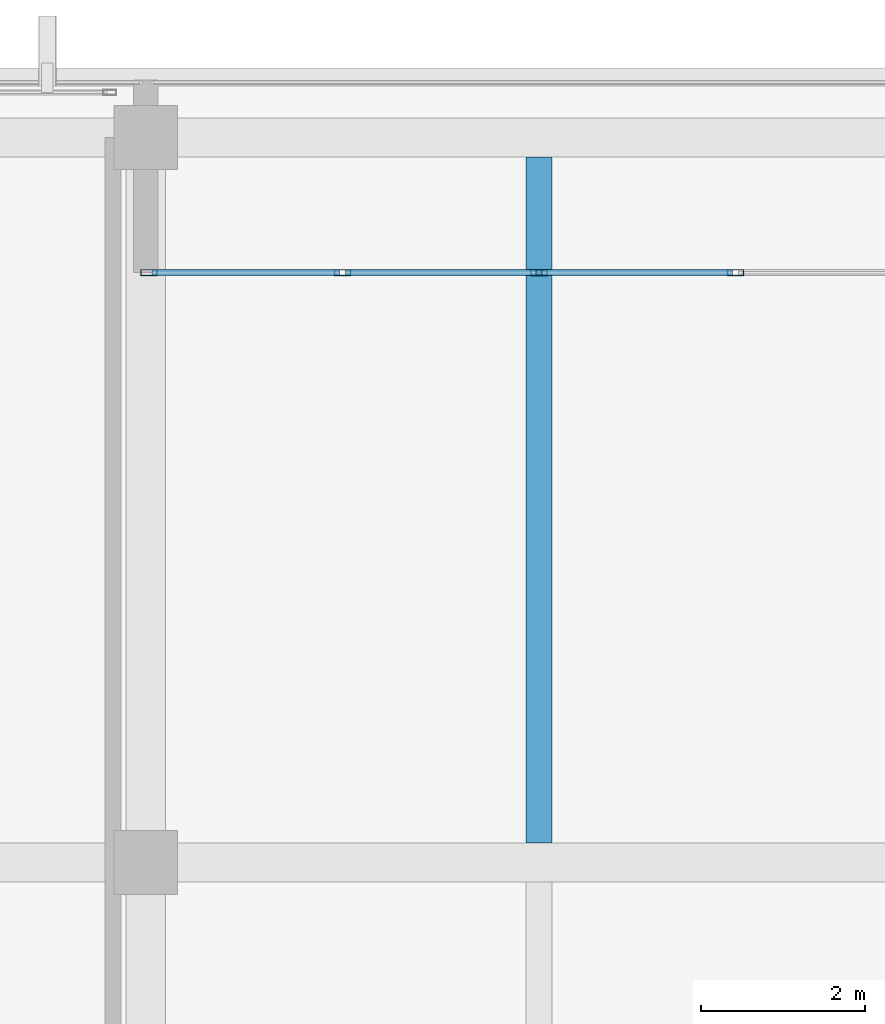
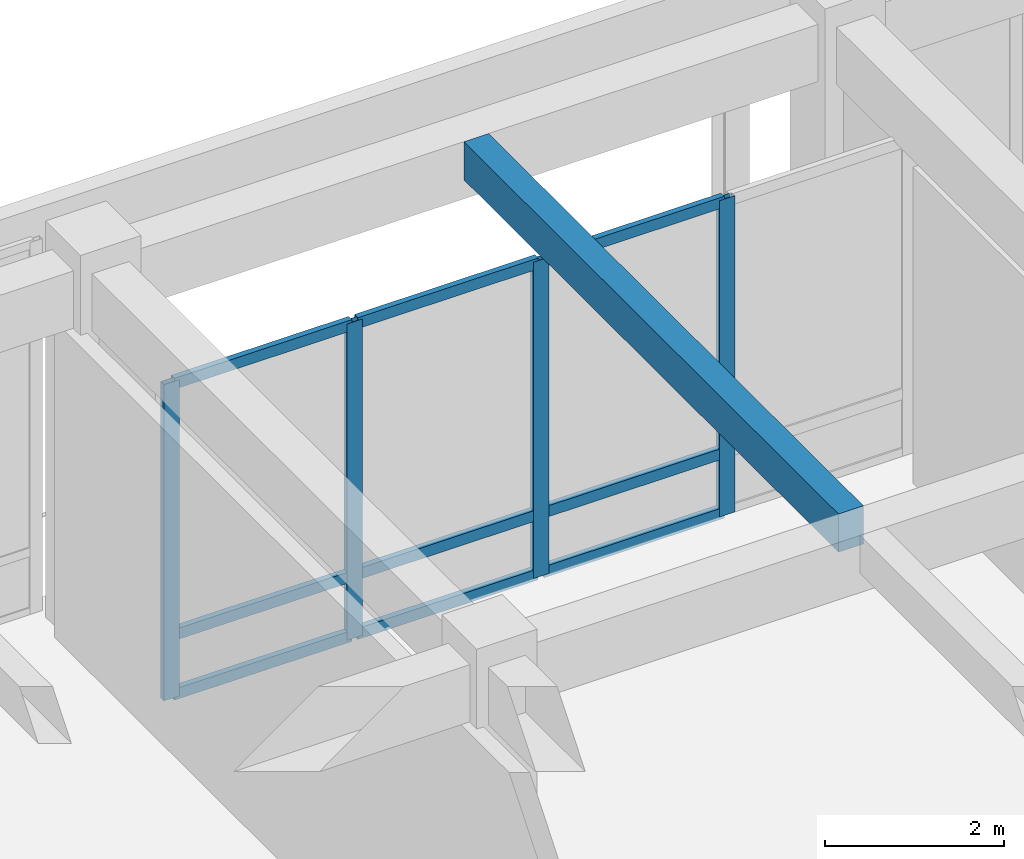
# One storey, part 46 of 134: 13 members, 1 beam, 1 element without a shape of its own.
"""IFC4 building model written with IfcOpenShell, lengths in metres."""

from ifc_helpers import new_model, si_unit, direction, frame, origin, origin_2d, place, context, subcontext, project, spatial, rectangle, hollow_rectangle, extrude, material, layer, layer_set, material_profile, profile_set, type_object, element, aggregate, save


model = new_model("IFC4")

# Units and contexts
model_context = context("Model", 3, precision=1e-05, world=origin(), true_north=direction((0.0, 1.0)))
body_context = subcontext(model_context, "Body", "Model", "MODEL_VIEW")
ifc_project = project(units=[si_unit("LENGTHUNIT", "METRE"), si_unit("AREAUNIT", "SQUARE_METRE"), si_unit("VOLUMEUNIT", "CUBIC_METRE"), si_unit("PLANEANGLEUNIT", "RADIAN"), si_unit("MASSUNIT", "GRAM", prefix="KILO")], contexts=[model_context])

# Site, building, storey
site_placement = place(None, origin())
site = spatial("IfcSite", under=ifc_project, at=site_placement, CompositionType="ELEMENT")
building_placement = place(site_placement, origin())
building = spatial("IfcBuilding", under=site, at=building_placement, Name="Nakhvara Creek Congress Hotel", CompositionType="ELEMENT")
storey_placement = place(building_placement, frame((0.0, 0.0, 6.0)))
storey = spatial("IfcBuildingStorey", under=building, at=storey_placement, Name="L01", CompositionType="ELEMENT", Elevation=6.0)

# Beam
ifc_material_1 = material(Name="Concrete C40/50", Category="concrete")
ifc_material_profile_1 = material_profile(ifc_material_1, rectangle(XDim=0.320068359375, YDim=0.52001953125, at=origin_2d()), Name="RC-BM 320x520", Category="LoadBearing")
ifc_profile_set_1 = profile_set([ifc_material_profile_1], Name="Concrete C40/50")
beam_type = type_object("IfcBeamType", Name="BM-RC-320X520", PredefinedType="JOIST", material=ifc_profile_set_1)
beam_placement = place(storey_placement, frame((100.800048828125, 86.639892578125, 4.840087890625), z_axis=(0.0, 1.0, 0.0), x_axis=(-1.0, 0.0, 0.0)))
element("IfcBeam", 1, at=beam_placement, inside=storey, type_object=beam_type, Name="Secondary Joist BJ2-L01-1377", PredefinedType="JOIST", context=body_context, shape_type="SweptSolid", body=[
    extrude(rectangle(XDim=0.320068359375, YDim=0.52001953125, at=origin_2d()), origin(), (0.0, 0.0, 1.0), 8.3701171875),
])

# Curtain wall, members
ifc_material_2 = material(Name="Bronze-anodised aluminium AW-6063-T6 and double-silver low-E glass", Category="aluminium")
ifc_layer = layer(ifc_material_2, 0.219970703125)
ifc_layer_set = layer_set([ifc_layer], Name="Bronze-anodised aluminium AW-6063-T6 and double-silver low-E glass")
curtain_wall_type = type_object("IfcCurtainWallType", Name="CW-BOX-REC", PredefinedType="USERDEFINED", material=ifc_layer_set)
curtain_wall_placement = place(storey_placement, origin())
curtain_wall = element("IfcCurtainWall", 2, at=curtain_wall_placement, inside=storey, type_object=curtain_wall_type, Name="Curtain Wall CW068", ObjectType="UNITISED", PredefinedType="USERDEFINED")
ifc_material_3 = material(Name="Bronze-anodised aluminium AW-6063-T6", Category="aluminium")
ifc_material_profile_2 = material_profile(ifc_material_3, hollow_rectangle(XDim=0.074951171875, YDim=0.199951171875, WallThickness=0.0048828125, at=origin_2d()), Name="ALU-MULL 75x200x5", Category="LoadBearing")
ifc_profile_set_2 = profile_set([ifc_material_profile_2], Name="Bronze-anodised aluminium AW-6063-T6")
member_type_1 = type_object("IfcMemberType", Name="CW-MULL-200", PredefinedType="MULLION", material=ifc_profile_set_2)
member_1_placement = place(storey_placement, frame((96.03759765625, 93.60009765625, 0.0), z_axis=(0.0, 0.0, 1.0), x_axis=(0.0, 1.0, 0.0)))
member_1 = element("IfcMember", 3, at=member_1_placement, type_object=member_type_1, Name="CW068 mullion 1", PredefinedType="MULLION", context=body_context, shape_type="SweptSolid", body=[
    extrude(hollow_rectangle(XDim=0.074951171875, YDim=0.199951171875, WallThickness=0.0048828125, at=origin_2d()), origin(), (0.0, 0.0, 1.0), 4.31201171875),
])
member_2_placement = place(storey_placement, frame((98.39990234375, 93.60009765625, 0.0), z_axis=(0.0, 0.0, 1.0), x_axis=(0.0, 1.0, 0.0)))
member_2 = element("IfcMember", 4, at=member_2_placement, type_object=member_type_1, Name="CW068 mullion 2", PredefinedType="MULLION", context=body_context, shape_type="SweptSolid", body=[
    extrude(hollow_rectangle(XDim=0.074951171875, YDim=0.199951171875, WallThickness=0.0048828125, at=origin_2d()), origin(), (0.0, 0.0, 1.0), 4.31201171875),
])
member_3_placement = place(storey_placement, frame((100.800048828125, 93.60009765625, 0.0), z_axis=(0.0, 0.0, 1.0), x_axis=(0.0, 1.0, 0.0)))
member_3 = element("IfcMember", 5, at=member_3_placement, type_object=member_type_1, Name="CW068 mullion 3", PredefinedType="MULLION", context=body_context, shape_type="SweptSolid", body=[
    extrude(hollow_rectangle(XDim=0.074951171875, YDim=0.199951171875, WallThickness=0.0048828125, at=origin_2d()), origin(), (0.0, 0.0, 1.0), 4.31201171875),
])
member_4_placement = place(storey_placement, frame((103.199951171875, 93.60009765625, 0.0), z_axis=(0.0, 0.0, 1.0), x_axis=(0.0, 1.0, 0.0)))
member_4 = element("IfcMember", 6, at=member_4_placement, type_object=member_type_1, Name="CW068 mullion 4", PredefinedType="MULLION", context=body_context, shape_type="SweptSolid", body=[
    extrude(hollow_rectangle(XDim=0.074951171875, YDim=0.199951171875, WallThickness=0.0048828125, at=origin_2d()), origin(), (0.0, 0.0, 1.0), 4.31201171875),
])
ifc_material_profile_3 = material_profile(ifc_material_3, hollow_rectangle(XDim=0.074951171875, YDim=0.14990234375, WallThickness=0.00390625, at=origin_2d()), Name="ALU-TRAN 75x150x4", Category="LoadBearing")
ifc_profile_set_3 = profile_set([ifc_material_profile_3], Name="Bronze-anodised aluminium AW-6063-T6")
member_type_2 = type_object("IfcMemberType", Name="CW-TRAN-150", PredefinedType="USERDEFINED", material=ifc_profile_set_3)
member_5_placement = place(storey_placement, frame((96.074951171875, 93.60009765625, 0.03759765625), z_axis=(1.0, 0.0, 0.0), x_axis=(0.0, 1.0, 0.0)))
member_5 = element("IfcMember", 7, at=member_5_placement, type_object=member_type_2, Name="CW068 transom 1.1", ObjectType="TRANSOM", PredefinedType="USERDEFINED", context=body_context, shape_type="SweptSolid", body=[
    extrude(hollow_rectangle(XDim=0.074951171875, YDim=0.14990234375, WallThickness=0.00390625, at=origin_2d()), origin(), (0.0, 0.0, 1.0), 2.28759765625),
])
member_6_placement = place(storey_placement, frame((96.074951171875, 93.60009765625, 0.85009765625), z_axis=(1.0, 0.0, 0.0), x_axis=(0.0, 1.0, 0.0)))
member_6 = element("IfcMember", 8, at=member_6_placement, type_object=member_type_2, Name="CW068 transom 1.2", ObjectType="TRANSOM", PredefinedType="USERDEFINED", context=body_context, shape_type="SweptSolid", body=[
    extrude(hollow_rectangle(XDim=0.074951171875, YDim=0.14990234375, WallThickness=0.00390625, at=origin_2d()), origin(), (0.0, 0.0, 1.0), 2.28759765625),
])
member_7_placement = place(storey_placement, frame((96.074951171875, 93.60009765625, 4.2744140625), z_axis=(1.0, 0.0, 0.0), x_axis=(0.0, 1.0, 0.0)))
member_7 = element("IfcMember", 9, at=member_7_placement, type_object=member_type_2, Name="CW068 transom 1.3", ObjectType="TRANSOM", PredefinedType="USERDEFINED", context=body_context, shape_type="SweptSolid", body=[
    extrude(hollow_rectangle(XDim=0.074951171875, YDim=0.14990234375, WallThickness=0.00390625, at=origin_2d()), origin(), (0.0, 0.0, 1.0), 2.28759765625),
])
member_8_placement = place(storey_placement, frame((98.4375, 93.60009765625, 0.03759765625), z_axis=(1.0, 0.0, 0.0), x_axis=(0.0, 1.0, 0.0)))
member_8 = element("IfcMember", 10, at=member_8_placement, type_object=member_type_2, Name="CW068 transom 2.1", ObjectType="TRANSOM", PredefinedType="USERDEFINED", context=body_context, shape_type="SweptSolid", body=[
    extrude(hollow_rectangle(XDim=0.074951171875, YDim=0.14990234375, WallThickness=0.00390625, at=origin_2d()), origin(), (0.0, 0.0, 1.0), 2.324951171875),
])
member_9_placement = place(storey_placement, frame((98.4375, 93.60009765625, 0.85009765625), z_axis=(1.0, 0.0, 0.0), x_axis=(0.0, 1.0, 0.0)))
member_9 = element("IfcMember", 11, at=member_9_placement, type_object=member_type_2, Name="CW068 transom 2.2", ObjectType="TRANSOM", PredefinedType="USERDEFINED", context=body_context, shape_type="SweptSolid", body=[
    extrude(hollow_rectangle(XDim=0.074951171875, YDim=0.14990234375, WallThickness=0.00390625, at=origin_2d()), origin(), (0.0, 0.0, 1.0), 2.324951171875),
])
member_10_placement = place(storey_placement, frame((98.4375, 93.60009765625, 4.2744140625), z_axis=(1.0, 0.0, 0.0), x_axis=(0.0, 1.0, 0.0)))
member_10 = element("IfcMember", 12, at=member_10_placement, type_object=member_type_2, Name="CW068 transom 2.3", ObjectType="TRANSOM", PredefinedType="USERDEFINED", context=body_context, shape_type="SweptSolid", body=[
    extrude(hollow_rectangle(XDim=0.074951171875, YDim=0.14990234375, WallThickness=0.00390625, at=origin_2d()), origin(), (0.0, 0.0, 1.0), 2.324951171875),
])
member_11_placement = place(storey_placement, frame((100.83740234375, 93.60009765625, 0.03759765625), z_axis=(1.0, 0.0, 0.0), x_axis=(0.0, 1.0, 0.0)))
member_11 = element("IfcMember", 13, at=member_11_placement, type_object=member_type_2, Name="CW068 transom 3.1", ObjectType="TRANSOM", PredefinedType="USERDEFINED", context=body_context, shape_type="SweptSolid", body=[
    extrude(hollow_rectangle(XDim=0.074951171875, YDim=0.14990234375, WallThickness=0.00390625, at=origin_2d()), origin(), (0.0, 0.0, 1.0), 2.3251953125),
])
member_12_placement = place(storey_placement, frame((100.83740234375, 93.60009765625, 0.85009765625), z_axis=(1.0, 0.0, 0.0), x_axis=(0.0, 1.0, 0.0)))
member_12 = element("IfcMember", 14, at=member_12_placement, type_object=member_type_2, Name="CW068 transom 3.2", ObjectType="TRANSOM", PredefinedType="USERDEFINED", context=body_context, shape_type="SweptSolid", body=[
    extrude(hollow_rectangle(XDim=0.074951171875, YDim=0.14990234375, WallThickness=0.00390625, at=origin_2d()), origin(), (0.0, 0.0, 1.0), 2.3251953125),
])
member_13_placement = place(storey_placement, frame((100.83740234375, 93.60009765625, 4.2744140625), z_axis=(1.0, 0.0, 0.0), x_axis=(0.0, 1.0, 0.0)))
member_13 = element("IfcMember", 15, at=member_13_placement, type_object=member_type_2, Name="CW068 transom 3.3", ObjectType="TRANSOM", PredefinedType="USERDEFINED", context=body_context, shape_type="SweptSolid", body=[
    extrude(hollow_rectangle(XDim=0.074951171875, YDim=0.14990234375, WallThickness=0.00390625, at=origin_2d()), origin(), (0.0, 0.0, 1.0), 2.3251953125),
])
aggregate(curtain_wall, [member_1, member_2, member_3, member_4, member_5, member_6, member_7, member_8, member_9, member_10, member_11, member_12, member_13])

save(model, "model.ifc")
